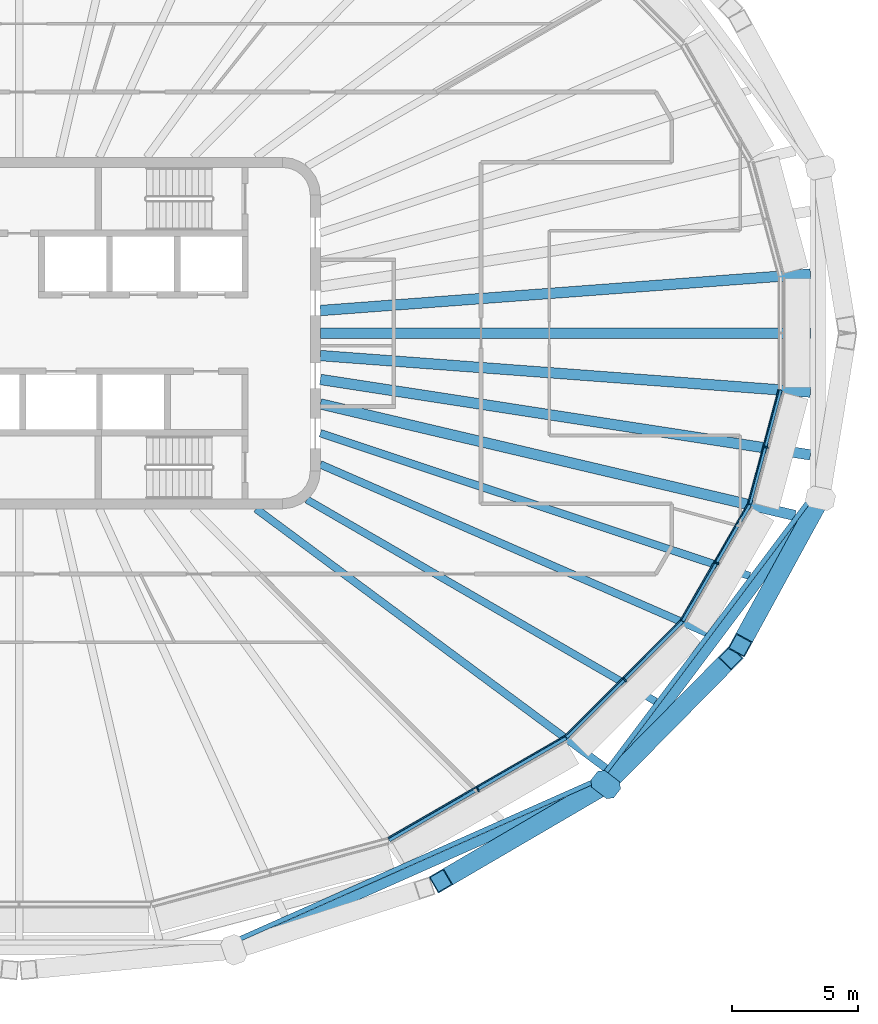
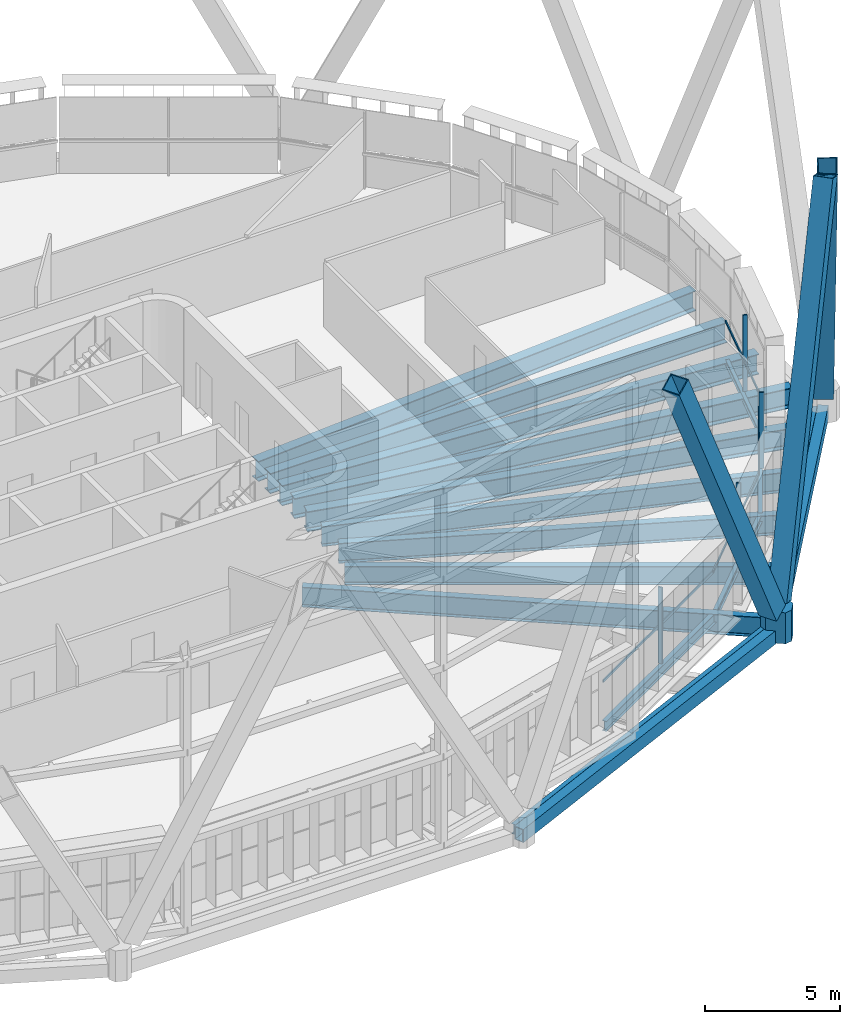
# One storey, part 5 of 22: 17 beams, 12 members, 4 elements without a shape of their own.
"""IFC4 building model written with IfcOpenShell, lengths in metres."""

from ifc_helpers import new_model, si_unit, direction, frame, origin, origin_2d, place, context, subcontext, project, spatial, polyline, rectangle, hollow_rectangle, i_section, outline, extrude, material, layer, layer_set, material_profile, profile_set, type_object, element, aggregate, save


model = new_model("IFC4")

# Units and contexts
model_context = context("Model", 3, precision=1e-05, world=origin(), true_north=direction((0.0, 1.0)))
body_context = subcontext(model_context, "Body", "Model", "MODEL_VIEW")
ifc_project = project(units=[si_unit("LENGTHUNIT", "METRE"), si_unit("AREAUNIT", "SQUARE_METRE"), si_unit("VOLUMEUNIT", "CUBIC_METRE"), si_unit("PLANEANGLEUNIT", "RADIAN"), si_unit("MASSUNIT", "GRAM", prefix="KILO")], contexts=[model_context])

# Site, building, storey
site_placement = place(None, origin())
site = spatial("IfcSite", under=ifc_project, at=site_placement, CompositionType="ELEMENT")
building_placement = place(site_placement, origin())
building = spatial("IfcBuilding", under=site, at=building_placement, Name="Sahrelin Media Tower", CompositionType="ELEMENT")
storey_placement = place(building_placement, frame((0.0, 0.0, 233.60009765625)))
storey = spatial("IfcBuildingStorey", under=building, at=storey_placement, Name="L50", CompositionType="ELEMENT", Elevation=233.60009765625)

# Members
ifc_material_1 = material(Name="Steel S460", Category="steel")
ifc_material_profile_1 = material_profile(ifc_material_1, hollow_rectangle(XDim=0.75, YDim=0.75, WallThickness=0.0400390625, at=origin_2d()), Name="Diagrid diagonal DG6")
ifc_profile_set_1 = profile_set([ifc_material_profile_1], Name="Steel S460")
member_type_1 = type_object("IfcMemberType", Name="Diagrid diagonal DG6", PredefinedType="BRACE", material=ifc_profile_set_1)
member_1_placement = place(storey_placement, frame((23.065185546875, -18.159912109375, 0.699951171875), z_axis=(-0.384260974099, -0.22458774364, 0.895490842606), x_axis=(0.504600914785, -0.863352718649, 0.0)))
element("IfcMember", 1, at=member_1_placement, inside=storey, type_object=member_type_1, Name="Diagrid diagonal D11-20", PredefinedType="BRACE", context=body_context, shape_type="SweptSolid", body=[
    extrude(hollow_rectangle(XDim=0.75, YDim=0.75, WallThickness=0.0400390625, at=origin_2d()), origin(), (0.0, 0.0, 1.0), 16.3037109375),
])
member_2_placement = place(storey_placement, frame((23.59375, -17.75341796875, 0.699951171875), z_axis=(0.295554032604, 0.299619341613, 0.90712516443), x_axis=(-0.711920039863, 0.70226053345, 0.0)))
element("IfcMember", 2, at=member_2_placement, inside=storey, type_object=member_type_1, Name="Diagrid diagonal D11-21", PredefinedType="BRACE", context=body_context, shape_type="SweptSolid", body=[
    extrude(hollow_rectangle(XDim=0.75, YDim=0.75, WallThickness=0.0400390625, at=origin_2d()), origin(), (0.0, 0.0, 1.0), 16.0947265625),
])
member_3_placement = place(storey_placement, frame((31.772216796875, -6.850341796875, 0.699951171875), z_axis=(-0.191358854383, -0.350523060937, 0.916796254683), x_axis=(0.877722398999, -0.47916947972, 0.0)))
element("IfcMember", 3, at=member_3_placement, inside=storey, type_object=member_type_1, Name="Diagrid diagonal D11-22", PredefinedType="BRACE", context=body_context, shape_type="SweptSolid", body=[
    extrude(hollow_rectangle(XDim=0.75, YDim=0.75, WallThickness=0.0400390625, at=origin_2d()), origin(), (0.0, 0.0, 1.0), 15.9248046875),
])
ifc_material_profile_2 = material_profile(ifc_material_1, outline(polyline([(0.375, -0.425048828125), (0.574951171875, -0.22509765625), (0.574951171875, 0.22509765625), (0.375, 0.425048828125), (-0.375, 0.425048828125), (-0.574951171875, 0.22509765625), (-0.574951171875, -0.22509765625), (-0.375, -0.425048828125), (0.375, -0.425048828125)])), Name="Diagrid node block 1150")
ifc_profile_set_2 = profile_set([ifc_material_profile_2], Name="Steel S460")
member_type_2 = type_object("IfcMemberType", Name="Diagrid node block 1150", PredefinedType="USERDEFINED", material=ifc_profile_set_2)
member_4_placement = place(storey_placement, frame((23.36572265625, -17.984619140625, -0.7001953125), z_axis=(0.0, 0.0, 1.0), x_axis=(0.792445093645, -0.609943254376, 0.0)))
element("IfcMember", 4, at=member_4_placement, inside=storey, type_object=member_type_2, Name="Diagrid node N11-10", ObjectType="NODE", PredefinedType="USERDEFINED", context=body_context, shape_type="SweptSolid", body=[
    extrude(outline(polyline([(0.375, -0.425048828125), (0.574951171875, -0.22509765625), (0.574951171875, 0.22509765625), (0.375, 0.425048828125), (-0.375, 0.425048828125), (-0.574951171875, 0.22509765625), (-0.574951171875, -0.22509765625), (-0.375, -0.425048828125), (0.375, -0.425048828125)])), origin(), (0.0, 0.0, 1.0), 1.400146484375),
])

# Beams
ifc_material_profile_3 = material_profile(ifc_material_1, hollow_rectangle(XDim=0.39990234375, YDim=0.60009765625, WallThickness=0.030029296875, at=origin_2d()), Name="Diagrid ring beam RB1")
ifc_profile_set_3 = profile_set([ifc_material_profile_3], Name="Steel S460")
beam_type_1 = type_object("IfcBeamType", Name="Diagrid ring beam RB1", PredefinedType="BEAM", material=ifc_profile_set_3)
beam_1_placement = place(storey_placement, frame((8.552490234375, -24.5673828125, -0.4501953125), z_axis=(0.91383204297, 0.406092350632, 0.0), x_axis=(-0.406092350632, 0.91383204297, 0.0)))
element("IfcBeam", 5, at=beam_1_placement, inside=storey, type_object=beam_type_1, Name="Diagrid ring beam RB11-09", PredefinedType="BEAM", context=body_context, shape_type="SweptSolid", body=[
    extrude(hollow_rectangle(XDim=0.39990234375, YDim=0.60009765625, WallThickness=0.030029296875, at=origin_2d()), origin(), (0.0, 0.0, 1.0), 16.2099609375),
])
beam_2_placement = place(storey_placement, frame((23.36572265625, -17.984619140625, -0.4501953125), z_axis=(0.600049330653, 0.799962999634, 0.0), x_axis=(-0.799962999634, 0.600049330653, 0.0)))
element("IfcBeam", 6, at=beam_2_placement, inside=storey, type_object=beam_type_1, Name="Diagrid ring beam RB11-10", PredefinedType="BEAM", context=body_context, shape_type="SweptSolid", body=[
    extrude(hollow_rectangle(XDim=0.39990234375, YDim=0.60009765625, WallThickness=0.030029296875, at=origin_2d()), origin(), (0.0, 0.0, 1.0), 14.2529296875),
])
ifc_material_2 = material(Name="Steel S355", Category="steel")
ifc_material_profile_4 = material_profile(ifc_material_2, i_section(OverallWidth=0.14599609375, OverallDepth=0.25146484375, WebThickness=0.006103515625, FlangeThickness=0.008544921875, FilletRadius=0.007568359375, at=origin_2d()), Name="UB 254x146x31")
ifc_profile_set_4 = profile_set([ifc_material_profile_4], Name="Steel S355")
beam_type_2 = type_object("IfcBeamType", Name="Edge beam EB1", PredefinedType="BEAM", material=ifc_profile_set_4)
beam_3_placement = place(storey_placement, frame((30.321044921875, -2.270751953125, -0.27587890625), z_axis=(-0.258805425508, -0.965929475545, 0.0), x_axis=(0.965929475545, -0.258805425508, 0.0)))
element("IfcBeam", 7, at=beam_3_placement, inside=storey, type_object=beam_type_2, Name="Edge beam L50-02", PredefinedType="BEAM", context=body_context, shape_type="SweptSolid", body=[
    extrude(i_section(OverallWidth=0.14599609375, OverallDepth=0.25146484375, WebThickness=0.006103515625, FlangeThickness=0.008544921875, FilletRadius=0.007568359375, at=origin_2d()), origin(), (0.0, 0.0, 1.0), 4.693115234375),
])
ifc_material_profile_5 = material_profile(ifc_material_2, i_section(OverallWidth=0.1650390625, OverallDepth=0.303466796875, WebThickness=0.006103515625, FlangeThickness=0.01025390625, FilletRadius=0.0087890625, at=origin_2d()), Name="UB 305x165x40")
ifc_profile_set_5 = profile_set([ifc_material_profile_5], Name="Steel S355")
beam_type_3 = type_object("IfcBeamType", Name="Edge beam EB2", PredefinedType="BEAM", material=ifc_profile_set_5)
beam_4_placement = place(storey_placement, frame((29.095458984375, -6.83056640625, -0.3017578125), z_axis=(-0.500026652407, -0.866010015463, 0.0), x_axis=(0.866010015463, -0.500026652407, 0.0)))
element("IfcBeam", 8, at=beam_4_placement, inside=storey, type_object=beam_type_3, Name="Edge beam L50-03", PredefinedType="BEAM", context=body_context, shape_type="SweptSolid", body=[
    extrude(i_section(OverallWidth=0.1650390625, OverallDepth=0.303466796875, WebThickness=0.006103515625, FlangeThickness=0.01025390625, FilletRadius=0.0087890625, at=origin_2d()), origin(), (0.0, 0.0, 1.0), 5.349365234375),
])
ifc_material_profile_6 = material_profile(ifc_material_2, i_section(OverallWidth=0.17138671875, OverallDepth=0.35498046875, WebThickness=0.00732421875, FlangeThickness=0.011474609375, FilletRadius=0.01025390625, at=origin_2d()), Name="UB 356x171x51")
ifc_profile_set_6 = profile_set([ifc_material_profile_6], Name="Steel S355")
beam_type_4 = type_object("IfcBeamType", Name="Edge beam EB3", PredefinedType="BEAM", material=ifc_profile_set_6)
beam_5_placement = place(storey_placement, frame((26.4033203125, -11.486083984375, -0.32763671875), z_axis=(-0.707106781187, -0.707106781187, 0.0), x_axis=(0.707106781187, -0.707106781187, 0.0)))
element("IfcBeam", 9, at=beam_5_placement, inside=storey, type_object=beam_type_4, Name="Edge beam L50-04", PredefinedType="BEAM", context=body_context, shape_type="SweptSolid", body=[
    extrude(i_section(OverallWidth=0.17138671875, OverallDepth=0.35498046875, WebThickness=0.00732421875, FlangeThickness=0.011474609375, FilletRadius=0.01025390625, at=origin_2d()), origin(), (0.0, 0.0, 1.0), 6.51416015625),
])
ifc_material_profile_7 = material_profile(ifc_material_2, i_section(OverallWidth=0.1904296875, OverallDepth=0.45703125, WebThickness=0.009033203125, FlangeThickness=0.014404296875, FilletRadius=0.01025390625, at=origin_2d()), Name="UB 457x191x74")
ifc_profile_set_7 = profile_set([ifc_material_profile_7], Name="Steel S355")
beam_type_5 = type_object("IfcBeamType", Name="Edge beam EB5", PredefinedType="BEAM", material=ifc_profile_set_7)
beam_6_placement = place(storey_placement, frame((21.774169921875, -16.10986328125, -0.378662109375), z_axis=(-0.866022173658, -0.500005594701, 0.0), x_axis=(0.500005594701, -0.866022173658, 0.0)))
element("IfcBeam", 10, at=beam_6_placement, inside=storey, type_object=beam_type_5, Name="Edge beam L50-05", PredefinedType="BEAM", context=body_context, shape_type="SweptSolid", body=[
    extrude(i_section(OverallWidth=0.1904296875, OverallDepth=0.45703125, WebThickness=0.009033203125, FlangeThickness=0.014404296875, FilletRadius=0.01025390625, at=origin_2d()), origin(), (0.0, 0.0, 1.0), 8.1357421875),
])

# Curtain wall, member
ifc_material_3 = material(Name="Champagne anodised aluminium 6063-T6", Category="aluminium")
ifc_layer = layer(ifc_material_3, 0.14990234375)
ifc_layer_set = layer_set([ifc_layer], Name="Tower ribbon curtain wall")
curtain_wall_type = type_object("IfcCurtainWallType", Name="Tower ribbon curtain wall", PredefinedType="NOTDEFINED", material=ifc_layer_set)
curtain_wall_1_placement = place(storey_placement, frame((18.326416015625, -18.273681640625, 0.0), z_axis=(0.0, 0.0, 1.0), x_axis=(1.0, 0.0, 0.0)))
curtain_wall_1 = element("IfcCurtainWall", 11, at=curtain_wall_1_placement, inside=storey, type_object=curtain_wall_type, Name="L50:CW:L50-20", PredefinedType="NOTDEFINED")
ifc_material_profile_8 = material_profile(ifc_material_3, rectangle(XDim=0.06005859375, YDim=0.175048828125, at=origin_2d()), Name="Mullion 60x175")
ifc_profile_set_8 = profile_set([ifc_material_profile_8], Name="Champagne anodised aluminium 6063-T6")
member_type_3 = type_object("IfcMemberType", Name="Mullion 60x175 CW1B", PredefinedType="MULLION", material=ifc_profile_set_8)
member_5_placement = place(storey_placement, frame((18.272705078125, -18.1806640625, 0.0), z_axis=(0.0, 0.0, 1.0), x_axis=(0.866027149108, 0.499996976998, 0.0)))
member_5 = element("IfcMember", 12, at=member_5_placement, type_object=member_type_3, Name="L50:CWM:L50-20", PredefinedType="MULLION", context=body_context, shape_type="SweptSolid", body=[
    extrude(rectangle(XDim=0.06005859375, YDim=0.175048828125, at=origin_2d()), origin(), (0.0, 0.0, 1.0), 3.448486328125),
])

curtain_wall_2_placement = place(storey_placement, frame((24.206298828125, -13.895263671875, 0.0), z_axis=(0.0, 0.0, 1.0), x_axis=(1.0, 0.0, 0.0)))
curtain_wall_2 = element("IfcCurtainWall", 13, at=curtain_wall_2_placement, inside=storey, type_object=curtain_wall_type, Name="L50:CW:L50-21", PredefinedType="NOTDEFINED")
member_6_placement = place(storey_placement, frame((24.130126953125, -13.819091796875, 0.0), z_axis=(0.0, 0.0, 1.0), x_axis=(0.707099376343, 0.707114185953, 0.0)))
member_6 = element("IfcMember", 14, at=member_6_placement, type_object=member_type_3, Name="L50:CWM:L50-21", PredefinedType="MULLION", context=body_context, shape_type="SweptSolid", body=[
    extrude(rectangle(XDim=0.06005859375, YDim=0.175048828125, at=origin_2d()), origin(), (0.0, 0.0, 1.0), 3.448486328125),
])

curtain_wall_3_placement = place(storey_placement, frame((27.887939453125, -9.221923828125, 0.0), z_axis=(0.0, 0.0, 1.0), x_axis=(1.0, 0.0, 0.0)))
curtain_wall_3 = element("IfcCurtainWall", 15, at=curtain_wall_3_placement, inside=storey, type_object=curtain_wall_type, Name="L50:CW:L50-22", PredefinedType="NOTDEFINED")
member_7_placement = place(storey_placement, frame((27.794921875, -9.168212890625, 0.0), z_axis=(0.0, 0.0, 1.0), x_axis=(0.500001511499, 0.866024531118, 0.0)))
member_7 = element("IfcMember", 16, at=member_7_placement, type_object=member_type_3, Name="L50:CWM:L50-22", PredefinedType="MULLION", context=body_context, shape_type="SweptSolid", body=[
    extrude(rectangle(XDim=0.06005859375, YDim=0.175048828125, at=origin_2d()), origin(), (0.0, 0.0, 1.0), 3.448486328125),
])

curtain_wall_4_placement = place(storey_placement, frame((29.858642578125, -4.576171875, 0.0), z_axis=(0.0, 0.0, 1.0), x_axis=(1.0, 0.0, 0.0)))
curtain_wall_4 = element("IfcCurtainWall", 17, at=curtain_wall_4_placement, inside=storey, type_object=curtain_wall_type, Name="L50:CW:L50-23", PredefinedType="NOTDEFINED")
member_8_placement = place(storey_placement, frame((29.7548828125, -4.54833984375, 0.0), z_axis=(0.0, 0.0, 1.0), x_axis=(0.258817359244, 0.965926278012, 0.0)))
member_8 = element("IfcMember", 18, at=member_8_placement, type_object=member_type_3, Name="L50:CWM:L50-23", PredefinedType="MULLION", context=body_context, shape_type="SweptSolid", body=[
    extrude(rectangle(XDim=0.06005859375, YDim=0.175048828125, at=origin_2d()), origin(), (0.0, 0.0, 1.0), 3.448486328125),
])

# Beams
ifc_material_profile_9 = material_profile(ifc_material_2, i_section(OverallWidth=0.30322265625, OverallDepth=0.903076171875, WebThickness=0.01513671875, FlangeThickness=0.020263671875, FilletRadius=0.01904296875, at=origin_2d()), Name="UB 914x305x201")
ifc_profile_set_9 = profile_set([ifc_material_profile_9], Name="Steel S355")
beam_type_6 = type_object("IfcBeamType", Name="Radial primary beam PB11", PredefinedType="BEAM", material=ifc_profile_set_9)
beam_7_placement = place(storey_placement, frame((9.440673828125, -7.0, -0.6015625), z_axis=(0.803276687883, -0.595606046564, 0.0), x_axis=(0.595606046564, 0.803276687883, 0.0)))
element("IfcBeam", 19, at=beam_7_placement, inside=storey, type_object=beam_type_6, Name="Radial beam L50-21", PredefinedType="BEAM", context=body_context, shape_type="SweptSolid", body=[
    extrude(i_section(OverallWidth=0.30322265625, OverallDepth=0.903076171875, WebThickness=0.01513671875, FlangeThickness=0.020263671875, FilletRadius=0.01904296875, at=origin_2d()), origin(), (0.0, 0.0, 1.0), 17.335693359375),
])
beam_8_placement = place(storey_placement, frame((12.0, -5.231689453125, -0.6015625), z_axis=(0.91667085004, -0.399643031575, 0.0), x_axis=(0.399643031575, 0.91667085004, 0.0)))
element("IfcBeam", 20, at=beam_8_placement, inside=storey, type_object=beam_type_6, Name="Radial beam L50-22", PredefinedType="BEAM", context=body_context, shape_type="SweptSolid", body=[
    extrude(i_section(OverallWidth=0.30322265625, OverallDepth=0.903076171875, WebThickness=0.01513671875, FlangeThickness=0.020263671875, FilletRadius=0.01904296875, at=origin_2d()), origin(), (0.0, 0.0, 1.0), 16.80078125),
])
ifc_material_profile_10 = material_profile(ifc_material_2, i_section(OverallWidth=0.41845703125, OverallDepth=0.911865234375, WebThickness=0.019287109375, FlangeThickness=0.031982421875, FilletRadius=0.024169921875, at=origin_2d()), Name="UB 914x419x343")
ifc_profile_set_10 = profile_set([ifc_material_profile_10], Name="Steel S355")
beam_type_7 = type_object("IfcBeamType", Name="Radial primary beam PB12", PredefinedType="BEAM", material=ifc_profile_set_10)
beam_9_placement = place(storey_placement, frame((12.0, 0.896484375, -0.60595703125), z_axis=(0.997221934607, 0.074487671049, 0.0), x_axis=(-0.074487671049, 0.997221934607, 0.0)))
element("IfcBeam", 21, at=beam_9_placement, inside=storey, type_object=beam_type_7, Name="Radial beam L50-01", PredefinedType="BEAM", context=body_context, shape_type="SweptSolid", body=[
    extrude(i_section(OverallWidth=0.41845703125, OverallDepth=0.911865234375, WebThickness=0.019287109375, FlangeThickness=0.031982421875, FilletRadius=0.024169921875, at=origin_2d()), origin(), (0.0, 0.0, 1.0), 19.5771484375),
])
beam_10_placement = place(storey_placement, frame((12.0, -2.821533203125, -0.60595703125), z_axis=(0.973452758978, -0.228888020741, 0.0), x_axis=(0.228888020741, 0.973452758978, 0.0)))
element("IfcBeam", 22, at=beam_10_placement, inside=storey, type_object=beam_type_7, Name="Radial beam L50-23", PredefinedType="BEAM", context=body_context, shape_type="SweptSolid", body=[
    extrude(i_section(OverallWidth=0.41845703125, OverallDepth=0.911865234375, WebThickness=0.019287109375, FlangeThickness=0.031982421875, FilletRadius=0.024169921875, at=origin_2d()), origin(), (0.0, 0.0, 1.0), 19.425537109375),
])
beam_11_placement = place(storey_placement, frame((12.0, -0.896484375, -0.60595703125), z_axis=(0.997221934607, -0.074487671049, 0.0), x_axis=(0.074487671049, 0.997221934607, 0.0)))
element("IfcBeam", 23, at=beam_11_placement, inside=storey, type_object=beam_type_7, Name="Radial beam L50-24", PredefinedType="BEAM", context=body_context, shape_type="SweptSolid", body=[
    extrude(i_section(OverallWidth=0.41845703125, OverallDepth=0.911865234375, WebThickness=0.019287109375, FlangeThickness=0.031982421875, FilletRadius=0.024169921875, at=origin_2d()), origin(), (0.0, 0.0, 1.0), 19.5771484375),
])
ifc_material_profile_11 = material_profile(ifc_material_2, i_section(OverallWidth=0.291748046875, OverallDepth=0.8349609375, WebThickness=0.013916015625, FlangeThickness=0.018798828125, FilletRadius=0.017822265625, at=origin_2d()), Name="UB 838x292x176")
ifc_profile_set_11 = profile_set([ifc_material_profile_11], Name="Steel S355")
beam_type_8 = type_object("IfcBeamType", Name="Radial secondary beam SB10", PredefinedType="BEAM", material=ifc_profile_set_11)
beam_12_placement = place(storey_placement, frame((11.46484375, -6.63427734375, -0.567626953125), z_axis=(0.865538050782, -0.50084317171, 0.0), x_axis=(0.50084317171, 0.865538050782, 0.0)))
element("IfcBeam", 24, at=beam_12_placement, inside=storey, type_object=beam_type_8, Name="Secondary beam L50-21", PredefinedType="BEAM", context=body_context, shape_type="SweptSolid", body=[
    extrude(i_section(OverallWidth=0.291748046875, OverallDepth=0.8349609375, WebThickness=0.013916015625, FlangeThickness=0.018798828125, FilletRadius=0.017822265625, at=origin_2d()), origin(), (0.0, 0.0, 1.0), 16.049072265625),
])
ifc_material_profile_12 = material_profile(ifc_material_2, i_section(OverallWidth=0.30322265625, OverallDepth=0.903076171875, WebThickness=0.01513671875, FlangeThickness=0.020263671875, FilletRadius=0.01904296875, at=origin_2d()), Name="UB 914x305x201")
ifc_profile_set_12 = profile_set([ifc_material_profile_12], Name="Steel S355")
beam_type_9 = type_object("IfcBeamType", Name="Radial secondary beam SB11", PredefinedType="BEAM", material=ifc_profile_set_12)
beam_13_placement = place(storey_placement, frame((12.0, -3.990478515625, -0.6015625), z_axis=(0.948913325828, -0.315536844228, 0.0), x_axis=(0.315536844228, 0.948913325828, 0.0)))
element("IfcBeam", 25, at=beam_13_placement, inside=storey, type_object=beam_type_9, Name="Secondary beam L50-22", PredefinedType="BEAM", context=body_context, shape_type="SweptSolid", body=[
    extrude(i_section(OverallWidth=0.30322265625, OverallDepth=0.903076171875, WebThickness=0.01513671875, FlangeThickness=0.020263671875, FilletRadius=0.01904296875, at=origin_2d()), origin(), (0.0, 0.0, 1.0), 18.023193359375),
])
ifc_material_profile_13 = material_profile(ifc_material_2, i_section(OverallWidth=0.41845703125, OverallDepth=0.911865234375, WebThickness=0.019287109375, FlangeThickness=0.031982421875, FilletRadius=0.024169921875, at=origin_2d()), Name="UB 914x419x343")
ifc_profile_set_13 = profile_set([ifc_material_profile_13], Name="Steel S355")
beam_type_10 = type_object("IfcBeamType", Name="Radial secondary beam SB12", PredefinedType="BEAM", material=ifc_profile_set_13)
beam_14_placement = place(storey_placement, frame((12.0, -1.847412109375, -0.60595703125), z_axis=(0.988357404414, -0.152150061256, 0.0), x_axis=(0.152150061256, 0.988357404414, 0.0)))
element("IfcBeam", 26, at=beam_14_placement, inside=storey, type_object=beam_type_10, Name="Secondary beam L50-23", PredefinedType="BEAM", context=body_context, shape_type="SweptSolid", body=[
    extrude(i_section(OverallWidth=0.41845703125, OverallDepth=0.911865234375, WebThickness=0.019287109375, FlangeThickness=0.031982421875, FilletRadius=0.024169921875, at=origin_2d()), origin(), (0.0, 0.0, 1.0), 19.752685546875),
])
beam_15_placement = place(storey_placement, frame((12.0, 0.0, -0.60595703125), z_axis=(1.0, 0.0, 0.0), x_axis=(0.0, 1.0, 0.0)))
element("IfcBeam", 27, at=beam_15_placement, inside=storey, type_object=beam_type_10, Name="Secondary beam L50-24", PredefinedType="BEAM", context=body_context, shape_type="SweptSolid", body=[
    extrude(i_section(OverallWidth=0.41845703125, OverallDepth=0.911865234375, WebThickness=0.019287109375, FlangeThickness=0.031982421875, FilletRadius=0.024169921875, at=origin_2d()), origin(), (0.0, 0.0, 1.0), 19.522705078125),
])
ifc_material_profile_14 = material_profile(ifc_material_2, i_section(OverallWidth=0.1904296875, OverallDepth=0.45703125, WebThickness=0.009033203125, FlangeThickness=0.014404296875, FilletRadius=0.01025390625, at=origin_2d()), Name="UB 457x191x74")
ifc_profile_set_14 = profile_set([ifc_material_profile_14], Name="Steel S355")
beam_type_11 = type_object("IfcBeamType", Name="Tie chord TC5", PredefinedType="BEAM", material=ifc_profile_set_14)
beam_16_placement = place(storey_placement, frame((31.617919921875, -6.482666015625, -0.378662109375), z_axis=(-0.600049955292, -0.799962531094, 0.0), x_axis=(0.799962531094, -0.600049955292, 0.0)))
element("IfcBeam", 28, at=beam_16_placement, inside=storey, type_object=beam_type_11, Name="Tie chord L50-02", PredefinedType="BEAM", context=body_context, shape_type="SweptSolid", body=[
    extrude(i_section(OverallWidth=0.1904296875, OverallDepth=0.45703125, WebThickness=0.009033203125, FlangeThickness=0.014404296875, FilletRadius=0.01025390625, at=origin_2d()), origin(), (0.0, 0.0, 1.0), 14.07470703125),
])
beam_17_placement = place(storey_placement, frame((23.17236328125, -17.741943359375, -0.378662109375), z_axis=(-0.913832223904, -0.406091943474, 0.0), x_axis=(0.406091943474, -0.913832223904, 0.0)))
element("IfcBeam", 29, at=beam_17_placement, inside=storey, type_object=beam_type_11, Name="Tie chord L50-03", PredefinedType="BEAM", context=body_context, shape_type="SweptSolid", body=[
    extrude(i_section(OverallWidth=0.1904296875, OverallDepth=0.45703125, WebThickness=0.009033203125, FlangeThickness=0.014404296875, FilletRadius=0.01025390625, at=origin_2d()), origin(), (0.0, 0.0, 1.0), 16.068115234375),
])

# Member
ifc_material_profile_15 = material_profile(ifc_material_3, rectangle(XDim=0.050048828125, YDim=0.110107421875, at=origin_2d()), Name="Transom 50x110")
ifc_profile_set_15 = profile_set([ifc_material_profile_15], Name="Champagne anodised aluminium 6063-T6")
member_type_4 = type_object("IfcMemberType", Name="Transom 50x110 CW1B", PredefinedType="USERDEFINED", material=ifc_profile_set_15)
member_9_placement = place(storey_placement, frame((14.70703125, -20.109130859375, 1.599853515625), z_axis=(0.866034085284, 0.4999849629, 0.0), x_axis=(-0.4999849629, 0.866034085284, 0.0)))
member_9 = element("IfcMember", 30, at=member_9_placement, type_object=member_type_4, Name="L50:CWT:L50-20", ObjectType="TRANSOM", PredefinedType="USERDEFINED", context=body_context, shape_type="SweptSolid", body=[
    extrude(rectangle(XDim=0.050048828125, YDim=0.110107421875, at=origin_2d()), origin(), (0.0, 0.0, 1.0), 8.104248046875),
])

aggregate(curtain_wall_1, [member_5, member_9])

member_10_placement = place(storey_placement, frame((21.7587890625, -16.03173828125, 1.599853515625), z_axis=(0.707087950365, 0.707125611507, 0.0), x_axis=(-0.707125611507, 0.707087950365, 0.0)))
member_10 = element("IfcMember", 31, at=member_10_placement, type_object=member_type_4, Name="L50:CWT:L50-21", ObjectType="TRANSOM", PredefinedType="USERDEFINED", context=body_context, shape_type="SweptSolid", body=[
    extrude(rectangle(XDim=0.050048828125, YDim=0.110107421875, at=origin_2d()), origin(), (0.0, 0.0, 1.0), 6.482666015625),
])

aggregate(curtain_wall_2, [member_6, member_10])

member_11_placement = place(storey_placement, frame((26.367919921875, -11.41455078125, 1.599853515625), z_axis=(0.500029766052, 0.866008217664, 0.0), x_axis=(-0.866008217664, 0.500029766052, 0.0)))
member_11 = element("IfcMember", 32, at=member_11_placement, type_object=member_type_4, Name="L50:CWT:L50-22", ObjectType="TRANSOM", PredefinedType="USERDEFINED", context=body_context, shape_type="SweptSolid", body=[
    extrude(rectangle(XDim=0.050048828125, YDim=0.110107421875, at=origin_2d()), origin(), (0.0, 0.0, 1.0), 5.318115234375),
])

aggregate(curtain_wall_3, [member_7, member_11])

member_12_placement = place(storey_placement, frame((29.04296875, -6.7705078125, 1.599853515625), z_axis=(0.258829455497, 0.965923036772, 0.0), x_axis=(-0.965923036772, 0.258829455497, 0.0)))
member_12 = element("IfcMember", 33, at=member_12_placement, type_object=member_type_4, Name="L50:CWT:L50-23", ObjectType="TRANSOM", PredefinedType="USERDEFINED", context=body_context, shape_type="SweptSolid", body=[
    extrude(rectangle(XDim=0.050048828125, YDim=0.110107421875, at=origin_2d()), origin(), (0.0, 0.0, 1.0), 4.66162109375),
])

aggregate(curtain_wall_4, [member_8, member_12])

save(model, "model.ifc")
